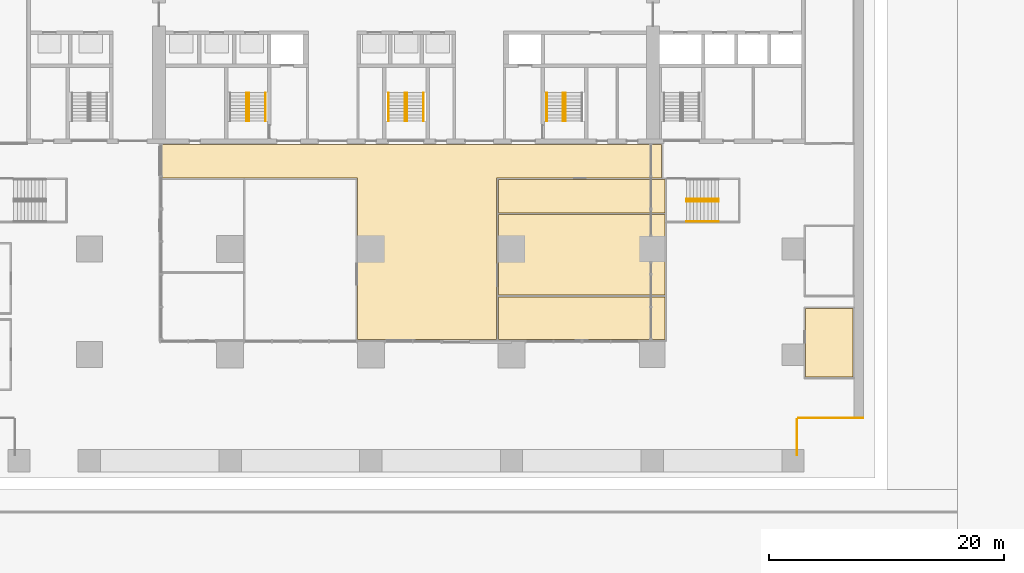
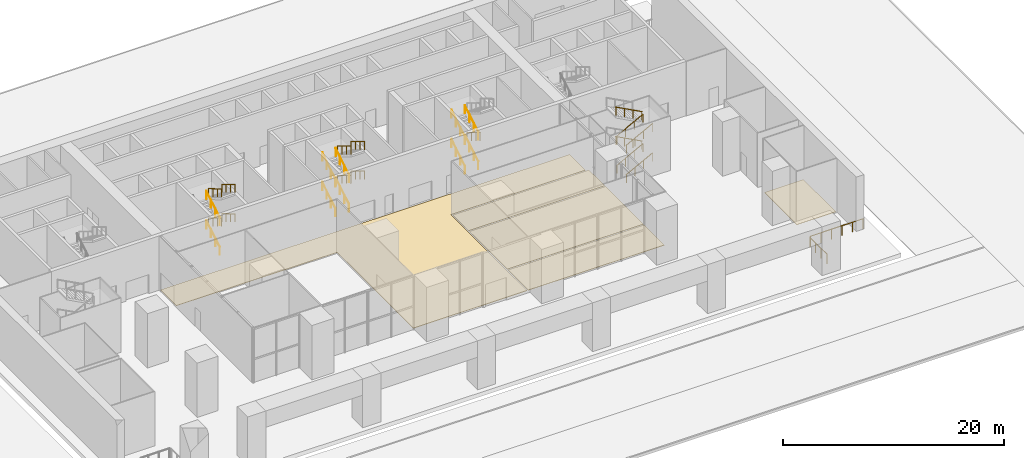
# One storey, part 14 of 16: 27 railings, 5 coverings, 4 elements without a shape of their own.
"""IFC4 building model written with IfcOpenShell, lengths in metres."""

from ifc_helpers import new_model, si_unit, direction, frame, origin, origin_2d, place, context, subcontext, project, spatial, polyline, circle, outline, extrude, material, layer, layer_set, type_object, element, aggregate, save


model = new_model("IFC4")

# Units and contexts
model_context = context("Model", 3, precision=1e-05, world=origin(), true_north=direction((0.0, 1.0)))
body_context = subcontext(model_context, "Body", "Model", "MODEL_VIEW")
ifc_project = project(units=[si_unit("LENGTHUNIT", "METRE"), si_unit("AREAUNIT", "SQUARE_METRE"), si_unit("VOLUMEUNIT", "CUBIC_METRE"), si_unit("PLANEANGLEUNIT", "RADIAN"), si_unit("MASSUNIT", "GRAM", prefix="KILO")], contexts=[model_context])

# Site, building, storey
site_placement = place(None, origin())
site = spatial("IfcSite", under=ifc_project, at=site_placement, CompositionType="ELEMENT")
building_placement = place(site_placement, origin())
building = spatial("IfcBuilding", under=site, at=building_placement, Name="Calvaro Tower", CompositionType="ELEMENT")
storey_placement = place(building_placement, origin())
storey = spatial("IfcBuildingStorey", under=building, at=storey_placement, Name="L00", CompositionType="ELEMENT", Elevation=0.0)

# Coverings
ifc_material_1 = material(Name="Cement screed with carpet tile finish")
ifc_layer = layer(ifc_material_1, 0.050048828125)
ifc_layer_set = layer_set([ifc_layer], Name="Cement screed with carpet tile finish")
covering_type = type_object("IfcCoveringType", Name="Floor finish 50", PredefinedType="FLOORING", material=ifc_layer_set)
covering_1_placement = place(storey_placement, origin())
element("IfcCovering", 1, at=covering_1_placement, inside=storey, type_object=covering_type, Name="Floor finish 03.03", PredefinedType="FLOORING", context=body_context, shape_type="SweptSolid", body=[
    extrude(outline(polyline([(46.72998046875, 25.070068359375), (46.72998046875, 11.27001953125), (34.8701171875, 11.27001953125), (34.8701171875, 25.070068359375), (18.070068359375, 25.070068359375), (18.070068359375, 27.929931640625), (60.780029296875, 27.929931640625), (60.780029296875, 25.070068359375), (46.72998046875, 25.070068359375)])), origin(), (0.0, 0.0, 1.0), 0.050048828125),
])
covering_2_placement = place(storey_placement, origin())
element("IfcCovering", 2, at=covering_2_placement, inside=storey, type_object=covering_type, Name="Floor finish 03.05", PredefinedType="FLOORING", context=body_context, shape_type="SweptSolid", body=[
    extrude(outline(polyline([(77.1298828125, 8.070068359375), (73.070068359375, 8.070068359375), (73.070068359375, 13.929931640625), (77.1298828125, 13.929931640625), (77.1298828125, 8.070068359375)])), origin(), (0.0, 0.0, 1.0), 0.050048828125),
])
covering_3_placement = place(storey_placement, origin())
element("IfcCovering", 3, at=covering_3_placement, inside=storey, type_object=covering_type, Name="Floor finish 03.06", PredefinedType="FLOORING", context=body_context, shape_type="SweptSolid", body=[
    extrude(outline(polyline([(46.8701171875, 11.27001953125), (46.8701171875, 14.929931640625), (61.080078125, 14.929931640625), (61.080078125, 11.27001953125), (46.8701171875, 11.27001953125)])), origin(), (0.0, 0.0, 1.0), 0.050048828125),
])
covering_4_placement = place(storey_placement, origin())
element("IfcCovering", 4, at=covering_4_placement, inside=storey, type_object=covering_type, Name="Floor finish 03.11", PredefinedType="FLOORING", context=body_context, shape_type="SweptSolid", body=[
    extrude(outline(polyline([(46.8701171875, 15.070068359375), (46.8701171875, 21.929931640625), (61.080078125, 21.929931640625), (61.080078125, 15.070068359375), (46.8701171875, 15.070068359375)])), origin(), (0.0, 0.0, 1.0), 0.050048828125),
])
covering_5_placement = place(storey_placement, origin())
element("IfcCovering", 5, at=covering_5_placement, inside=storey, type_object=covering_type, Name="Floor finish 03.15", PredefinedType="FLOORING", context=body_context, shape_type="SweptSolid", body=[
    extrude(outline(polyline([(46.8701171875, 22.070068359375), (46.8701171875, 24.929931640625), (61.080078125, 24.929931640625), (61.080078125, 22.070068359375), (46.8701171875, 22.070068359375)])), origin(), (0.0, 0.0, 1.0), 0.050048828125),
])

# Railings
ifc_material_2 = material(Name="Stainless steel", Category="steel")
railing_type_1 = type_object("IfcRailingType", Name="Guard 1100", PredefinedType="GUARDRAIL", material=ifc_material_2)
railing_1_placement = place(storey_placement, frame((72.35009765625, 4.5, 0.0)))
element("IfcRailing", 6, at=railing_1_placement, inside=storey, type_object=railing_type_1, Name="Edge guard", PredefinedType="GUARDRAIL", context=body_context, shape_type="SweptSolid", body=[
    extrude(circle(Radius=0.02392578125, at=origin_2d()), frame((0.0, 0.0, 1.076171875), z_axis=(0.0, -1.0, 0.0), x_axis=(1.0, 0.0, 0.0)), (0.0, 0.0, 1.0), 3.10009765625),
    extrude(circle(Radius=0.02099609375, at=origin_2d()), frame((0.0, -0.02099609375, 0.0)), (0.0, 0.0, 1.0), 1.052001953125),
    extrude(circle(Radius=0.02099609375, at=origin_2d()), frame((0.0, -1.033447265625, 0.0)), (0.0, 0.0, 1.0), 1.052001953125),
    extrude(circle(Radius=0.02099609375, at=origin_2d()), frame((0.0, -2.066650390625, 0.0)), (0.0, 0.0, 1.0), 1.052001953125),
    extrude(circle(Radius=0.02099609375, at=origin_2d()), frame((0.0, -3.0791015625, 0.0)), (0.0, 0.0, 1.0), 1.052001953125),
])
railing_2_placement = place(storey_placement, frame((78.0, 4.60009765625, 0.0)))
element("IfcRailing", 7, at=railing_2_placement, inside=storey, type_object=railing_type_1, Name="Edge guard", PredefinedType="GUARDRAIL", context=body_context, shape_type="SweptSolid", body=[
    extrude(circle(Radius=0.02392578125, at=origin_2d()), frame((0.0, 0.0, 1.076171875), z_axis=(-1.0, 0.0, 0.0), x_axis=(0.0, -1.0, 0.0)), (0.0, 0.0, 1.0), 5.550048828125),
    extrude(circle(Radius=0.02099609375, at=origin_2d()), frame((-0.02099609375, 0.0, 0.0)), (0.0, 0.0, 1.0), 1.052001953125),
    extrude(circle(Radius=0.02099609375, at=origin_2d()), frame((-1.110107421875, 0.0, 0.0)), (0.0, 0.0, 1.0), 1.052001953125),
    extrude(circle(Radius=0.02099609375, at=origin_2d()), frame((-2.219970703125, 0.0, 0.0)), (0.0, 0.0, 1.0), 1.052001953125),
    extrude(circle(Radius=0.02099609375, at=origin_2d()), frame((-3.330078125, 0.0, 0.0)), (0.0, 0.0, 1.0), 1.052001953125),
    extrude(circle(Radius=0.02099609375, at=origin_2d()), frame((-4.43994140625, 0.0, 0.0)), (0.0, 0.0, 1.0), 1.052001953125),
    extrude(circle(Radius=0.02099609375, at=origin_2d()), frame((-5.529052734375, 0.0, 0.0)), (0.0, 0.0, 1.0), 1.052001953125),
])

# Stair, railings
ifc_material_3 = material(Name="Concrete C40/50", Category="concrete")
stair_type_1 = type_object("IfcStairType", Name="Exit stair 1400 4 flights", PredefinedType="DOUBLE_RETURN_STAIR", material=ifc_material_3)
stair_1_placement = place(storey_placement, origin())
stair_1 = element("IfcStair", 8, at=stair_1_placement, inside=storey, type_object=stair_type_1, Name="Exit stair S2", PredefinedType="DOUBLE_RETURN_STAIR")
ifc_material_4 = material(Name="Stainless steel", Category="steel")
railing_type_2 = type_object("IfcRailingType", Name="Stair handrail", PredefinedType="HANDRAIL", material=ifc_material_4)
railing_3_placement = place(storey_placement, frame((25.39990234375, 29.89990234375, 0.16259765625)))
railing_3 = element("IfcRailing", 9, at=railing_3_placement, type_object=railing_type_2, Name="Exit stair 2 handrail", PredefinedType="HANDRAIL", context=body_context, shape_type="SweptSolid", body=[
    extrude(circle(Radius=0.02392578125, at=origin_2d()), frame((0.0, 0.0, 0.8759765625), z_axis=(0.0, 0.856823829133, 0.515609276322), x_axis=(-1.0, 0.0, 0.0)), (0.0, 0.0, 1.0), 2.836181640625),
    extrude(circle(Radius=0.02099609375, at=origin_2d()), frame((0.0, 0.01806640625, 0.0107421875)), (0.0, 0.0, 1.0), 0.851806640625),
    extrude(circle(Radius=0.02099609375, at=origin_2d()), frame((0.0, 0.81005859375, 0.487548828125)), (0.0, 0.0, 1.0), 0.851806640625),
    extrude(circle(Radius=0.02099609375, at=origin_2d()), frame((0.0, 1.6201171875, 0.974853515625)), (0.0, 0.0, 1.0), 0.851806640625),
    extrude(circle(Radius=0.02099609375, at=origin_2d()), frame((0.0, 2.412109375, 1.45166015625)), (0.0, 0.0, 1.0), 0.851806640625),
])
railing_4_placement = place(storey_placement, frame((25.60009765625, 32.330078125, 1.78759765625)))
railing_4 = element("IfcRailing", 10, at=railing_4_placement, type_object=railing_type_2, Name="Exit stair 2 handrail", PredefinedType="HANDRAIL", context=body_context, shape_type="SweptSolid", body=[
    extrude(circle(Radius=0.02392578125, at=origin_2d()), frame((0.0, 0.0, 0.8759765625), z_axis=(0.0, -0.856823829133, 0.515609276322), x_axis=(1.0, 0.0, 0.0)), (0.0, 0.0, 1.0), 2.836181640625),
    extrude(circle(Radius=0.02099609375, at=origin_2d()), frame((0.0, -0.01806640625, 0.0107421875)), (0.0, 0.0, 1.0), 0.851806640625),
    extrude(circle(Radius=0.02099609375, at=origin_2d()), frame((0.0, -0.81005859375, 0.487548828125)), (0.0, 0.0, 1.0), 0.851806640625),
    extrude(circle(Radius=0.02099609375, at=origin_2d()), frame((0.0, -1.6201171875, 0.974853515625)), (0.0, 0.0, 1.0), 0.851806640625),
    extrude(circle(Radius=0.02099609375, at=origin_2d()), frame((0.0, -2.412109375, 1.45166015625)), (0.0, 0.0, 1.0), 0.851806640625),
])
railing_5_placement = place(storey_placement, frame((27.0, 32.330078125, 1.78759765625)))
railing_5 = element("IfcRailing", 11, at=railing_5_placement, type_object=railing_type_2, Name="Exit stair 2 handrail", PredefinedType="HANDRAIL", context=body_context, shape_type="SweptSolid", body=[
    extrude(circle(Radius=0.02392578125, at=origin_2d()), frame((0.0, 0.0, 0.8759765625), z_axis=(0.0, -0.856823829133, 0.515609276322), x_axis=(1.0, 0.0, 0.0)), (0.0, 0.0, 1.0), 2.836181640625),
    extrude(circle(Radius=0.02099609375, at=origin_2d()), frame((0.0, -0.01806640625, 0.0107421875)), (0.0, 0.0, 1.0), 0.851806640625),
    extrude(circle(Radius=0.02099609375, at=origin_2d()), frame((0.0, -0.81005859375, 0.487548828125)), (0.0, 0.0, 1.0), 0.851806640625),
    extrude(circle(Radius=0.02099609375, at=origin_2d()), frame((0.0, -1.6201171875, 0.974853515625)), (0.0, 0.0, 1.0), 0.851806640625),
    extrude(circle(Radius=0.02099609375, at=origin_2d()), frame((0.0, -2.412109375, 1.45166015625)), (0.0, 0.0, 1.0), 0.851806640625),
])
railing_6_placement = place(storey_placement, frame((25.39990234375, 29.89990234375, 3.41259765625)))
railing_6 = element("IfcRailing", 12, at=railing_6_placement, type_object=railing_type_2, Name="Exit stair 2 handrail", PredefinedType="HANDRAIL", context=body_context, shape_type="SweptSolid", body=[
    extrude(circle(Radius=0.02392578125, at=origin_2d()), frame((0.0, 0.0, 0.8759765625), z_axis=(0.0, 0.856823829133, 0.515609276322), x_axis=(-1.0, 0.0, 0.0)), (0.0, 0.0, 1.0), 2.836181640625),
    extrude(circle(Radius=0.02099609375, at=origin_2d()), frame((0.0, 0.01806640625, 0.0107421875)), (0.0, 0.0, 1.0), 0.851806640625),
    extrude(circle(Radius=0.02099609375, at=origin_2d()), frame((0.0, 0.81005859375, 0.487548828125)), (0.0, 0.0, 1.0), 0.851806640625),
    extrude(circle(Radius=0.02099609375, at=origin_2d()), frame((0.0, 1.6201171875, 0.974853515625)), (0.0, 0.0, 1.0), 0.851806640625),
    extrude(circle(Radius=0.02099609375, at=origin_2d()), frame((0.0, 2.412109375, 1.45166015625)), (0.0, 0.0, 1.0), 0.851806640625),
])
railing_7_placement = place(storey_placement, frame((25.60009765625, 32.330078125, 5.03759765625)))
railing_7 = element("IfcRailing", 13, at=railing_7_placement, type_object=railing_type_2, Name="Exit stair 2 handrail", PredefinedType="HANDRAIL", context=body_context, shape_type="SweptSolid", body=[
    extrude(circle(Radius=0.02392578125, at=origin_2d()), frame((0.0, 0.0, 0.8759765625), z_axis=(0.0, -0.856823829133, 0.515609276322), x_axis=(1.0, 0.0, 0.0)), (0.0, 0.0, 1.0), 2.836181640625),
    extrude(circle(Radius=0.02099609375, at=origin_2d()), frame((0.0, -0.01806640625, 0.0107421875)), (0.0, 0.0, 1.0), 0.851806640625),
    extrude(circle(Radius=0.02099609375, at=origin_2d()), frame((0.0, -0.81005859375, 0.487548828125)), (0.0, 0.0, 1.0), 0.851806640625),
    extrude(circle(Radius=0.02099609375, at=origin_2d()), frame((0.0, -1.6201171875, 0.974853515625)), (0.0, 0.0, 1.0), 0.851806640625),
    extrude(circle(Radius=0.02099609375, at=origin_2d()), frame((0.0, -2.412109375, 1.45166015625)), (0.0, 0.0, 1.0), 0.851806640625),
])
railing_8_placement = place(storey_placement, frame((27.0, 32.330078125, 5.03759765625)))
railing_8 = element("IfcRailing", 14, at=railing_8_placement, type_object=railing_type_2, Name="Exit stair 2 handrail", PredefinedType="HANDRAIL", context=body_context, shape_type="SweptSolid", body=[
    extrude(circle(Radius=0.02392578125, at=origin_2d()), frame((0.0, 0.0, 0.8759765625), z_axis=(0.0, -0.856823829133, 0.515609276322), x_axis=(1.0, 0.0, 0.0)), (0.0, 0.0, 1.0), 2.836181640625),
    extrude(circle(Radius=0.02099609375, at=origin_2d()), frame((0.0, -0.01806640625, 0.0107421875)), (0.0, 0.0, 1.0), 0.851806640625),
    extrude(circle(Radius=0.02099609375, at=origin_2d()), frame((0.0, -0.81005859375, 0.487548828125)), (0.0, 0.0, 1.0), 0.851806640625),
    extrude(circle(Radius=0.02099609375, at=origin_2d()), frame((0.0, -1.6201171875, 0.974853515625)), (0.0, 0.0, 1.0), 0.851806640625),
    extrude(circle(Radius=0.02099609375, at=origin_2d()), frame((0.0, -2.412109375, 1.45166015625)), (0.0, 0.0, 1.0), 0.851806640625),
])
aggregate(stair_1, [railing_3, railing_4, railing_5, railing_6, railing_7, railing_8])

stair_2_placement = place(storey_placement, origin())
stair_2 = element("IfcStair", 15, at=stair_2_placement, inside=storey, type_object=stair_type_1, Name="Exit stair S3", PredefinedType="DOUBLE_RETURN_STAIR")
railing_9_placement = place(storey_placement, frame((38.89990234375, 29.89990234375, 0.16259765625)))
railing_9 = element("IfcRailing", 16, at=railing_9_placement, type_object=railing_type_2, Name="Exit stair 3 handrail", PredefinedType="HANDRAIL", context=body_context, shape_type="SweptSolid", body=[
    extrude(circle(Radius=0.02392578125, at=origin_2d()), frame((0.0, 0.0, 0.8759765625), z_axis=(0.0, 0.856823829133, 0.515609276322), x_axis=(-1.0, 0.0, 0.0)), (0.0, 0.0, 1.0), 2.836181640625),
    extrude(circle(Radius=0.02099609375, at=origin_2d()), frame((0.0, 0.01806640625, 0.0107421875)), (0.0, 0.0, 1.0), 0.851806640625),
    extrude(circle(Radius=0.02099609375, at=origin_2d()), frame((0.0, 0.81005859375, 0.487548828125)), (0.0, 0.0, 1.0), 0.851806640625),
    extrude(circle(Radius=0.02099609375, at=origin_2d()), frame((0.0, 1.6201171875, 0.974853515625)), (0.0, 0.0, 1.0), 0.851806640625),
    extrude(circle(Radius=0.02099609375, at=origin_2d()), frame((0.0, 2.412109375, 1.45166015625)), (0.0, 0.0, 1.0), 0.851806640625),
])
railing_10_placement = place(storey_placement, frame((37.5, 29.89990234375, 0.16259765625)))
railing_10 = element("IfcRailing", 17, at=railing_10_placement, type_object=railing_type_2, Name="Exit stair 3 handrail", PredefinedType="HANDRAIL", context=body_context, shape_type="SweptSolid", body=[
    extrude(circle(Radius=0.02392578125, at=origin_2d()), frame((0.0, 0.0, 0.8759765625), z_axis=(0.0, 0.856823829133, 0.515609276322), x_axis=(-1.0, 0.0, 0.0)), (0.0, 0.0, 1.0), 2.836181640625),
    extrude(circle(Radius=0.02099609375, at=origin_2d()), frame((0.0, 0.01806640625, 0.0107421875)), (0.0, 0.0, 1.0), 0.851806640625),
    extrude(circle(Radius=0.02099609375, at=origin_2d()), frame((0.0, 0.81005859375, 0.487548828125)), (0.0, 0.0, 1.0), 0.851806640625),
    extrude(circle(Radius=0.02099609375, at=origin_2d()), frame((0.0, 1.6201171875, 0.974853515625)), (0.0, 0.0, 1.0), 0.851806640625),
    extrude(circle(Radius=0.02099609375, at=origin_2d()), frame((0.0, 2.412109375, 1.45166015625)), (0.0, 0.0, 1.0), 0.851806640625),
])
railing_11_placement = place(storey_placement, frame((39.10009765625, 32.330078125, 1.78759765625)))
railing_11 = element("IfcRailing", 18, at=railing_11_placement, type_object=railing_type_2, Name="Exit stair 3 handrail", PredefinedType="HANDRAIL", context=body_context, shape_type="SweptSolid", body=[
    extrude(circle(Radius=0.02392578125, at=origin_2d()), frame((0.0, 0.0, 0.8759765625), z_axis=(0.0, -0.856823829133, 0.515609276322), x_axis=(1.0, 0.0, 0.0)), (0.0, 0.0, 1.0), 2.836181640625),
    extrude(circle(Radius=0.02099609375, at=origin_2d()), frame((0.0, -0.01806640625, 0.0107421875)), (0.0, 0.0, 1.0), 0.851806640625),
    extrude(circle(Radius=0.02099609375, at=origin_2d()), frame((0.0, -0.81005859375, 0.487548828125)), (0.0, 0.0, 1.0), 0.851806640625),
    extrude(circle(Radius=0.02099609375, at=origin_2d()), frame((0.0, -1.6201171875, 0.974853515625)), (0.0, 0.0, 1.0), 0.851806640625),
    extrude(circle(Radius=0.02099609375, at=origin_2d()), frame((0.0, -2.412109375, 1.45166015625)), (0.0, 0.0, 1.0), 0.851806640625),
])
railing_12_placement = place(storey_placement, frame((40.5, 32.330078125, 1.78759765625)))
railing_12 = element("IfcRailing", 19, at=railing_12_placement, type_object=railing_type_2, Name="Exit stair 3 handrail", PredefinedType="HANDRAIL", context=body_context, shape_type="SweptSolid", body=[
    extrude(circle(Radius=0.02392578125, at=origin_2d()), frame((0.0, 0.0, 0.8759765625), z_axis=(0.0, -0.856823829133, 0.515609276322), x_axis=(1.0, 0.0, 0.0)), (0.0, 0.0, 1.0), 2.836181640625),
    extrude(circle(Radius=0.02099609375, at=origin_2d()), frame((0.0, -0.01806640625, 0.0107421875)), (0.0, 0.0, 1.0), 0.851806640625),
    extrude(circle(Radius=0.02099609375, at=origin_2d()), frame((0.0, -0.81005859375, 0.487548828125)), (0.0, 0.0, 1.0), 0.851806640625),
    extrude(circle(Radius=0.02099609375, at=origin_2d()), frame((0.0, -1.6201171875, 0.974853515625)), (0.0, 0.0, 1.0), 0.851806640625),
    extrude(circle(Radius=0.02099609375, at=origin_2d()), frame((0.0, -2.412109375, 1.45166015625)), (0.0, 0.0, 1.0), 0.851806640625),
])
railing_13_placement = place(storey_placement, frame((38.89990234375, 29.89990234375, 3.41259765625)))
railing_13 = element("IfcRailing", 20, at=railing_13_placement, type_object=railing_type_2, Name="Exit stair 3 handrail", PredefinedType="HANDRAIL", context=body_context, shape_type="SweptSolid", body=[
    extrude(circle(Radius=0.02392578125, at=origin_2d()), frame((0.0, 0.0, 0.8759765625), z_axis=(0.0, 0.856823829133, 0.515609276322), x_axis=(-1.0, 0.0, 0.0)), (0.0, 0.0, 1.0), 2.836181640625),
    extrude(circle(Radius=0.02099609375, at=origin_2d()), frame((0.0, 0.01806640625, 0.0107421875)), (0.0, 0.0, 1.0), 0.851806640625),
    extrude(circle(Radius=0.02099609375, at=origin_2d()), frame((0.0, 0.81005859375, 0.487548828125)), (0.0, 0.0, 1.0), 0.851806640625),
    extrude(circle(Radius=0.02099609375, at=origin_2d()), frame((0.0, 1.6201171875, 0.974853515625)), (0.0, 0.0, 1.0), 0.851806640625),
    extrude(circle(Radius=0.02099609375, at=origin_2d()), frame((0.0, 2.412109375, 1.45166015625)), (0.0, 0.0, 1.0), 0.851806640625),
])
railing_14_placement = place(storey_placement, frame((37.5, 29.89990234375, 3.41259765625)))
railing_14 = element("IfcRailing", 21, at=railing_14_placement, type_object=railing_type_2, Name="Exit stair 3 handrail", PredefinedType="HANDRAIL", context=body_context, shape_type="SweptSolid", body=[
    extrude(circle(Radius=0.02392578125, at=origin_2d()), frame((0.0, 0.0, 0.8759765625), z_axis=(0.0, 0.856823829133, 0.515609276322), x_axis=(-1.0, 0.0, 0.0)), (0.0, 0.0, 1.0), 2.836181640625),
    extrude(circle(Radius=0.02099609375, at=origin_2d()), frame((0.0, 0.01806640625, 0.0107421875)), (0.0, 0.0, 1.0), 0.851806640625),
    extrude(circle(Radius=0.02099609375, at=origin_2d()), frame((0.0, 0.81005859375, 0.487548828125)), (0.0, 0.0, 1.0), 0.851806640625),
    extrude(circle(Radius=0.02099609375, at=origin_2d()), frame((0.0, 1.6201171875, 0.974853515625)), (0.0, 0.0, 1.0), 0.851806640625),
    extrude(circle(Radius=0.02099609375, at=origin_2d()), frame((0.0, 2.412109375, 1.45166015625)), (0.0, 0.0, 1.0), 0.851806640625),
])
railing_15_placement = place(storey_placement, frame((39.10009765625, 32.330078125, 5.03759765625)))
railing_15 = element("IfcRailing", 22, at=railing_15_placement, type_object=railing_type_2, Name="Exit stair 3 handrail", PredefinedType="HANDRAIL", context=body_context, shape_type="SweptSolid", body=[
    extrude(circle(Radius=0.02392578125, at=origin_2d()), frame((0.0, 0.0, 0.8759765625), z_axis=(0.0, -0.856823829133, 0.515609276322), x_axis=(1.0, 0.0, 0.0)), (0.0, 0.0, 1.0), 2.836181640625),
    extrude(circle(Radius=0.02099609375, at=origin_2d()), frame((0.0, -0.01806640625, 0.0107421875)), (0.0, 0.0, 1.0), 0.851806640625),
    extrude(circle(Radius=0.02099609375, at=origin_2d()), frame((0.0, -0.81005859375, 0.487548828125)), (0.0, 0.0, 1.0), 0.851806640625),
    extrude(circle(Radius=0.02099609375, at=origin_2d()), frame((0.0, -1.6201171875, 0.974853515625)), (0.0, 0.0, 1.0), 0.851806640625),
    extrude(circle(Radius=0.02099609375, at=origin_2d()), frame((0.0, -2.412109375, 1.45166015625)), (0.0, 0.0, 1.0), 0.851806640625),
])
railing_16_placement = place(storey_placement, frame((40.5, 32.330078125, 5.03759765625)))
railing_16 = element("IfcRailing", 23, at=railing_16_placement, type_object=railing_type_2, Name="Exit stair 3 handrail", PredefinedType="HANDRAIL", context=body_context, shape_type="SweptSolid", body=[
    extrude(circle(Radius=0.02392578125, at=origin_2d()), frame((0.0, 0.0, 0.8759765625), z_axis=(0.0, -0.856823829133, 0.515609276322), x_axis=(1.0, 0.0, 0.0)), (0.0, 0.0, 1.0), 2.836181640625),
    extrude(circle(Radius=0.02099609375, at=origin_2d()), frame((0.0, -0.01806640625, 0.0107421875)), (0.0, 0.0, 1.0), 0.851806640625),
    extrude(circle(Radius=0.02099609375, at=origin_2d()), frame((0.0, -0.81005859375, 0.487548828125)), (0.0, 0.0, 1.0), 0.851806640625),
    extrude(circle(Radius=0.02099609375, at=origin_2d()), frame((0.0, -1.6201171875, 0.974853515625)), (0.0, 0.0, 1.0), 0.851806640625),
    extrude(circle(Radius=0.02099609375, at=origin_2d()), frame((0.0, -2.412109375, 1.45166015625)), (0.0, 0.0, 1.0), 0.851806640625),
])
aggregate(stair_2, [railing_9, railing_10, railing_11, railing_12, railing_13, railing_14, railing_15, railing_16])

stair_3_placement = place(storey_placement, origin())
stair_3 = element("IfcStair", 24, at=stair_3_placement, inside=storey, type_object=stair_type_1, Name="Exit stair S4", PredefinedType="DOUBLE_RETURN_STAIR")
railing_17_placement = place(storey_placement, frame((52.39990234375, 29.89990234375, 0.16259765625)))
railing_17 = element("IfcRailing", 25, at=railing_17_placement, type_object=railing_type_2, Name="Exit stair 4 handrail", PredefinedType="HANDRAIL", context=body_context, shape_type="SweptSolid", body=[
    extrude(circle(Radius=0.02392578125, at=origin_2d()), frame((0.0, 0.0, 0.8759765625), z_axis=(0.0, 0.856823829133, 0.515609276322), x_axis=(-1.0, 0.0, 0.0)), (0.0, 0.0, 1.0), 2.836181640625),
    extrude(circle(Radius=0.02099609375, at=origin_2d()), frame((0.0, 0.01806640625, 0.0107421875)), (0.0, 0.0, 1.0), 0.851806640625),
    extrude(circle(Radius=0.02099609375, at=origin_2d()), frame((0.0, 0.81005859375, 0.487548828125)), (0.0, 0.0, 1.0), 0.851806640625),
    extrude(circle(Radius=0.02099609375, at=origin_2d()), frame((0.0, 1.6201171875, 0.974853515625)), (0.0, 0.0, 1.0), 0.851806640625),
    extrude(circle(Radius=0.02099609375, at=origin_2d()), frame((0.0, 2.412109375, 1.45166015625)), (0.0, 0.0, 1.0), 0.851806640625),
])
railing_18_placement = place(storey_placement, frame((51.0, 29.89990234375, 0.16259765625)))
railing_18 = element("IfcRailing", 26, at=railing_18_placement, type_object=railing_type_2, Name="Exit stair 4 handrail", PredefinedType="HANDRAIL", context=body_context, shape_type="SweptSolid", body=[
    extrude(circle(Radius=0.02392578125, at=origin_2d()), frame((0.0, 0.0, 0.8759765625), z_axis=(0.0, 0.856823829133, 0.515609276322), x_axis=(-1.0, 0.0, 0.0)), (0.0, 0.0, 1.0), 2.836181640625),
    extrude(circle(Radius=0.02099609375, at=origin_2d()), frame((0.0, 0.01806640625, 0.0107421875)), (0.0, 0.0, 1.0), 0.851806640625),
    extrude(circle(Radius=0.02099609375, at=origin_2d()), frame((0.0, 0.81005859375, 0.487548828125)), (0.0, 0.0, 1.0), 0.851806640625),
    extrude(circle(Radius=0.02099609375, at=origin_2d()), frame((0.0, 1.6201171875, 0.974853515625)), (0.0, 0.0, 1.0), 0.851806640625),
    extrude(circle(Radius=0.02099609375, at=origin_2d()), frame((0.0, 2.412109375, 1.45166015625)), (0.0, 0.0, 1.0), 0.851806640625),
])
railing_19_placement = place(storey_placement, frame((52.60009765625, 32.330078125, 1.78759765625)))
railing_19 = element("IfcRailing", 27, at=railing_19_placement, type_object=railing_type_2, Name="Exit stair 4 handrail", PredefinedType="HANDRAIL", context=body_context, shape_type="SweptSolid", body=[
    extrude(circle(Radius=0.02392578125, at=origin_2d()), frame((0.0, 0.0, 0.8759765625), z_axis=(0.0, -0.856823829133, 0.515609276322), x_axis=(1.0, 0.0, 0.0)), (0.0, 0.0, 1.0), 2.836181640625),
    extrude(circle(Radius=0.02099609375, at=origin_2d()), frame((0.0, -0.01806640625, 0.0107421875)), (0.0, 0.0, 1.0), 0.851806640625),
    extrude(circle(Radius=0.02099609375, at=origin_2d()), frame((0.0, -0.81005859375, 0.487548828125)), (0.0, 0.0, 1.0), 0.851806640625),
    extrude(circle(Radius=0.02099609375, at=origin_2d()), frame((0.0, -1.6201171875, 0.974853515625)), (0.0, 0.0, 1.0), 0.851806640625),
    extrude(circle(Radius=0.02099609375, at=origin_2d()), frame((0.0, -2.412109375, 1.45166015625)), (0.0, 0.0, 1.0), 0.851806640625),
])
railing_20_placement = place(storey_placement, frame((52.39990234375, 29.89990234375, 3.41259765625)))
railing_20 = element("IfcRailing", 28, at=railing_20_placement, type_object=railing_type_2, Name="Exit stair 4 handrail", PredefinedType="HANDRAIL", context=body_context, shape_type="SweptSolid", body=[
    extrude(circle(Radius=0.02392578125, at=origin_2d()), frame((0.0, 0.0, 0.8759765625), z_axis=(0.0, 0.856823829133, 0.515609276322), x_axis=(-1.0, 0.0, 0.0)), (0.0, 0.0, 1.0), 2.836181640625),
    extrude(circle(Radius=0.02099609375, at=origin_2d()), frame((0.0, 0.01806640625, 0.0107421875)), (0.0, 0.0, 1.0), 0.851806640625),
    extrude(circle(Radius=0.02099609375, at=origin_2d()), frame((0.0, 0.81005859375, 0.487548828125)), (0.0, 0.0, 1.0), 0.851806640625),
    extrude(circle(Radius=0.02099609375, at=origin_2d()), frame((0.0, 1.6201171875, 0.974853515625)), (0.0, 0.0, 1.0), 0.851806640625),
    extrude(circle(Radius=0.02099609375, at=origin_2d()), frame((0.0, 2.412109375, 1.45166015625)), (0.0, 0.0, 1.0), 0.851806640625),
])
railing_21_placement = place(storey_placement, frame((51.0, 29.89990234375, 3.41259765625)))
railing_21 = element("IfcRailing", 29, at=railing_21_placement, type_object=railing_type_2, Name="Exit stair 4 handrail", PredefinedType="HANDRAIL", context=body_context, shape_type="SweptSolid", body=[
    extrude(circle(Radius=0.02392578125, at=origin_2d()), frame((0.0, 0.0, 0.8759765625), z_axis=(0.0, 0.856823829133, 0.515609276322), x_axis=(-1.0, 0.0, 0.0)), (0.0, 0.0, 1.0), 2.836181640625),
    extrude(circle(Radius=0.02099609375, at=origin_2d()), frame((0.0, 0.01806640625, 0.0107421875)), (0.0, 0.0, 1.0), 0.851806640625),
    extrude(circle(Radius=0.02099609375, at=origin_2d()), frame((0.0, 0.81005859375, 0.487548828125)), (0.0, 0.0, 1.0), 0.851806640625),
    extrude(circle(Radius=0.02099609375, at=origin_2d()), frame((0.0, 1.6201171875, 0.974853515625)), (0.0, 0.0, 1.0), 0.851806640625),
    extrude(circle(Radius=0.02099609375, at=origin_2d()), frame((0.0, 2.412109375, 1.45166015625)), (0.0, 0.0, 1.0), 0.851806640625),
])
aggregate(stair_3, [railing_17, railing_18, railing_19, railing_20, railing_21])

ifc_material_5 = material(Name="Concrete C40/50", Category="concrete")
stair_type_2 = type_object("IfcStairType", Name="Exit stair 1700 4 flights", PredefinedType="DOUBLE_RETURN_STAIR", material=ifc_material_5)
stair_4_placement = place(storey_placement, origin())
stair_4 = element("IfcStair", 30, at=stair_4_placement, inside=storey, type_object=stair_type_2, Name="Exit stair 7", PredefinedType="DOUBLE_RETURN_STAIR")
railing_22_placement = place(storey_placement, frame((62.89990234375, 23.050048828125, 0.16259765625)))
railing_22 = element("IfcRailing", 31, at=railing_22_placement, type_object=railing_type_2, Name="Exit stair 7 handrail", PredefinedType="HANDRAIL", context=body_context, shape_type="SweptSolid", body=[
    extrude(circle(Radius=0.02392578125, at=origin_2d()), frame((0.0, 0.0, 0.8759765625), z_axis=(0.882574470411, 0.0, 0.470172632316), x_axis=(0.0, 1.0, 0.0)), (0.0, 0.0, 1.0), 3.1103515625),
    extrude(circle(Radius=0.02099609375, at=origin_2d()), frame((0.0185546875, 0.0, 0.009765625)), (0.0, 0.0, 1.0), 0.851806640625),
    extrude(circle(Radius=0.02099609375, at=origin_2d()), frame((0.9150390625, 0.0, 0.487548828125)), (0.0, 0.0, 1.0), 0.851806640625),
    extrude(circle(Radius=0.02099609375, at=origin_2d()), frame((1.830078125, 0.0, 0.974853515625)), (0.0, 0.0, 1.0), 0.851806640625),
    extrude(circle(Radius=0.02099609375, at=origin_2d()), frame((2.7265625, 0.0, 1.45263671875)), (0.0, 0.0, 1.0), 0.851806640625),
])
railing_23_placement = place(storey_placement, frame((62.89990234375, 21.35009765625, 0.16259765625)))
railing_23 = element("IfcRailing", 32, at=railing_23_placement, type_object=railing_type_2, Name="Exit stair 7 handrail", PredefinedType="HANDRAIL", context=body_context, shape_type="SweptSolid", body=[
    extrude(circle(Radius=0.02392578125, at=origin_2d()), frame((0.0, 0.0, 0.8759765625), z_axis=(0.882574470411, 0.0, 0.470172632316), x_axis=(0.0, 1.0, 0.0)), (0.0, 0.0, 1.0), 3.1103515625),
    extrude(circle(Radius=0.02099609375, at=origin_2d()), frame((0.0185546875, 0.0, 0.009765625)), (0.0, 0.0, 1.0), 0.851806640625),
    extrude(circle(Radius=0.02099609375, at=origin_2d()), frame((0.9150390625, 0.0, 0.487548828125)), (0.0, 0.0, 1.0), 0.851806640625),
    extrude(circle(Radius=0.02099609375, at=origin_2d()), frame((1.830078125, 0.0, 0.974853515625)), (0.0, 0.0, 1.0), 0.851806640625),
    extrude(circle(Radius=0.02099609375, at=origin_2d()), frame((2.7265625, 0.0, 1.45263671875)), (0.0, 0.0, 1.0), 0.851806640625),
])
railing_24_placement = place(storey_placement, frame((65.64501953125, 23.25, 1.78759765625)))
railing_24 = element("IfcRailing", 33, at=railing_24_placement, type_object=railing_type_2, Name="Exit stair 7 handrail", PredefinedType="HANDRAIL", context=body_context, shape_type="SweptSolid", body=[
    extrude(circle(Radius=0.02392578125, at=origin_2d()), frame((0.0, 0.0, 0.8759765625), z_axis=(-0.882574470411, 0.0, 0.470172632316), x_axis=(0.0, -1.0, 0.0)), (0.0, 0.0, 1.0), 3.1103515625),
    extrude(circle(Radius=0.02099609375, at=origin_2d()), frame((-0.0185546875, 0.0, 0.009765625)), (0.0, 0.0, 1.0), 0.851806640625),
    extrude(circle(Radius=0.02099609375, at=origin_2d()), frame((-0.9150390625, 0.0, 0.487548828125)), (0.0, 0.0, 1.0), 0.851806640625),
    extrude(circle(Radius=0.02099609375, at=origin_2d()), frame((-1.830078125, 0.0, 0.974853515625)), (0.0, 0.0, 1.0), 0.851806640625),
    extrude(circle(Radius=0.02099609375, at=origin_2d()), frame((-2.7265625, 0.0, 1.45263671875)), (0.0, 0.0, 1.0), 0.851806640625),
])
railing_25_placement = place(storey_placement, frame((62.89990234375, 23.050048828125, 3.41259765625)))
railing_25 = element("IfcRailing", 34, at=railing_25_placement, type_object=railing_type_2, Name="Exit stair 7 handrail", PredefinedType="HANDRAIL", context=body_context, shape_type="SweptSolid", body=[
    extrude(circle(Radius=0.02392578125, at=origin_2d()), frame((0.0, 0.0, 0.8759765625), z_axis=(0.882574470411, 0.0, 0.470172632316), x_axis=(0.0, 1.0, 0.0)), (0.0, 0.0, 1.0), 3.1103515625),
    extrude(circle(Radius=0.02099609375, at=origin_2d()), frame((0.0185546875, 0.0, 0.009765625)), (0.0, 0.0, 1.0), 0.851806640625),
    extrude(circle(Radius=0.02099609375, at=origin_2d()), frame((0.9150390625, 0.0, 0.487548828125)), (0.0, 0.0, 1.0), 0.851806640625),
    extrude(circle(Radius=0.02099609375, at=origin_2d()), frame((1.830078125, 0.0, 0.974853515625)), (0.0, 0.0, 1.0), 0.851806640625),
    extrude(circle(Radius=0.02099609375, at=origin_2d()), frame((2.7265625, 0.0, 1.45263671875)), (0.0, 0.0, 1.0), 0.851806640625),
])
railing_26_placement = place(storey_placement, frame((62.89990234375, 21.35009765625, 3.41259765625)))
railing_26 = element("IfcRailing", 35, at=railing_26_placement, type_object=railing_type_2, Name="Exit stair 7 handrail", PredefinedType="HANDRAIL", context=body_context, shape_type="SweptSolid", body=[
    extrude(circle(Radius=0.02392578125, at=origin_2d()), frame((0.0, 0.0, 0.8759765625), z_axis=(0.882574470411, 0.0, 0.470172632316), x_axis=(0.0, 1.0, 0.0)), (0.0, 0.0, 1.0), 3.1103515625),
    extrude(circle(Radius=0.02099609375, at=origin_2d()), frame((0.0185546875, 0.0, 0.009765625)), (0.0, 0.0, 1.0), 0.851806640625),
    extrude(circle(Radius=0.02099609375, at=origin_2d()), frame((0.9150390625, 0.0, 0.487548828125)), (0.0, 0.0, 1.0), 0.851806640625),
    extrude(circle(Radius=0.02099609375, at=origin_2d()), frame((1.830078125, 0.0, 0.974853515625)), (0.0, 0.0, 1.0), 0.851806640625),
    extrude(circle(Radius=0.02099609375, at=origin_2d()), frame((2.7265625, 0.0, 1.45263671875)), (0.0, 0.0, 1.0), 0.851806640625),
])
railing_27_placement = place(storey_placement, frame((65.64501953125, 23.25, 5.03759765625)))
railing_27 = element("IfcRailing", 36, at=railing_27_placement, type_object=railing_type_2, Name="Exit stair 7 handrail", PredefinedType="HANDRAIL", context=body_context, shape_type="SweptSolid", body=[
    extrude(circle(Radius=0.02392578125, at=origin_2d()), frame((0.0, 0.0, 0.8759765625), z_axis=(-0.882574470411, 0.0, 0.470172632316), x_axis=(0.0, -1.0, 0.0)), (0.0, 0.0, 1.0), 3.1103515625),
    extrude(circle(Radius=0.02099609375, at=origin_2d()), frame((-0.0185546875, 0.0, 0.009765625)), (0.0, 0.0, 1.0), 0.851806640625),
    extrude(circle(Radius=0.02099609375, at=origin_2d()), frame((-0.9150390625, 0.0, 0.487548828125)), (0.0, 0.0, 1.0), 0.851806640625),
    extrude(circle(Radius=0.02099609375, at=origin_2d()), frame((-1.830078125, 0.0, 0.974853515625)), (0.0, 0.0, 1.0), 0.851806640625),
    extrude(circle(Radius=0.02099609375, at=origin_2d()), frame((-2.7265625, 0.0, 1.45263671875)), (0.0, 0.0, 1.0), 0.851806640625),
])
aggregate(stair_4, [railing_22, railing_23, railing_24, railing_25, railing_26, railing_27])

save(model, "model.ifc")
